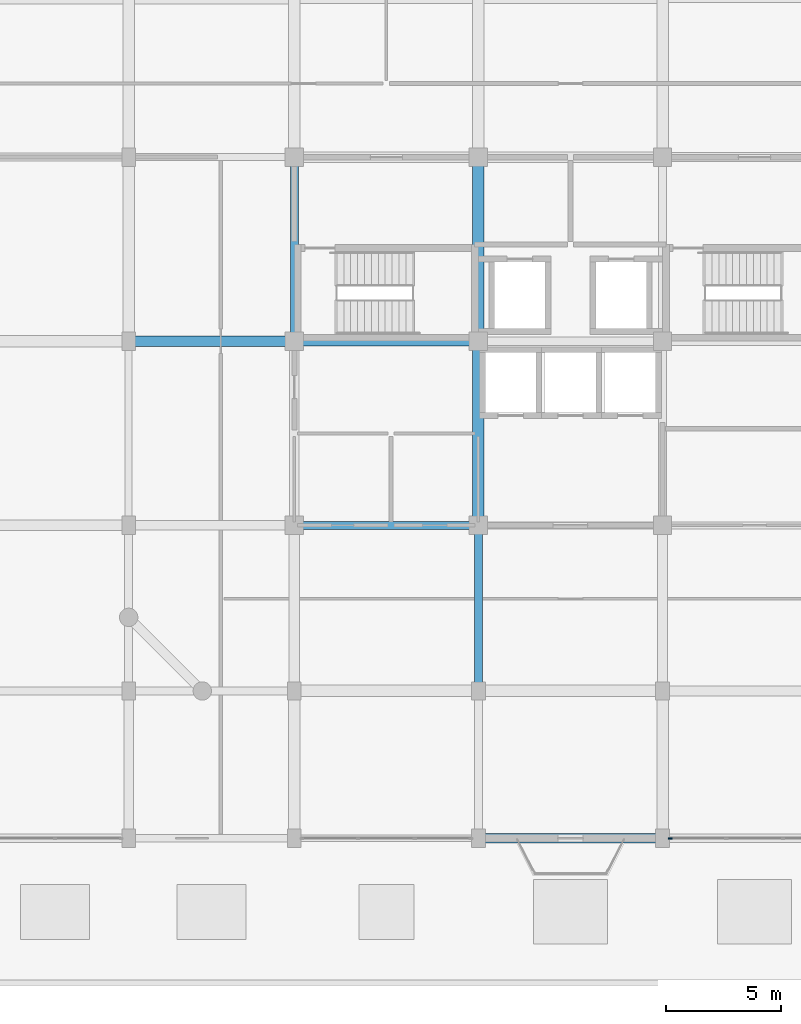
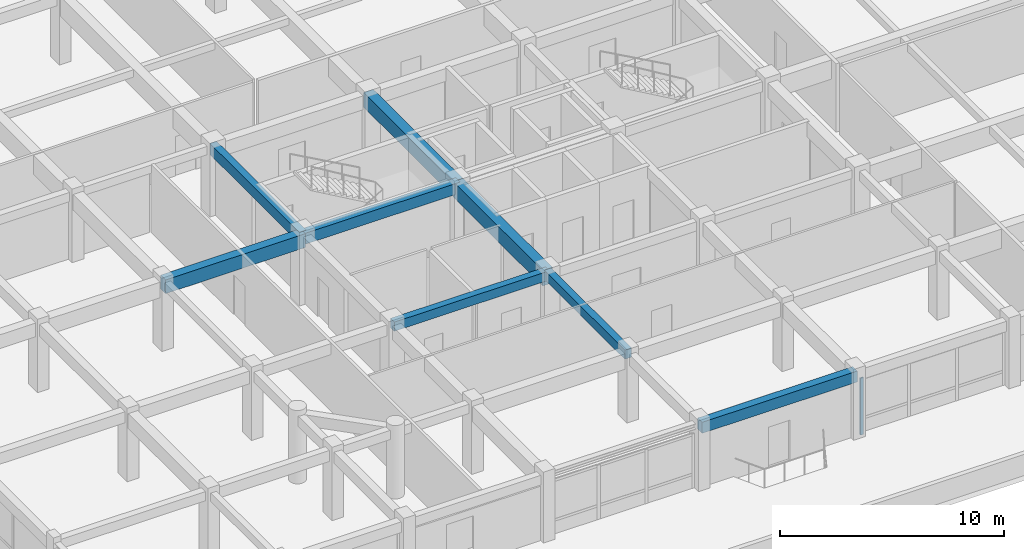
# One storey, part 4 of 20: 8 beams, 1 member, 1 element without a shape of its own.
"""IFC4 building model written with IfcOpenShell, lengths in metres."""

from ifc_helpers import new_model, si_unit, direction, frame, origin, origin_2d, place, context, subcontext, project, spatial, rectangle, extrude, material, material_profile, profile_set, type_object, element, aggregate, save


model = new_model("IFC4")

# Units and contexts
model_context = context("Model", 3, precision=1e-05, world=origin(), true_north=direction((0.0, 1.0)))
body_context = subcontext(model_context, "Body", "Model", "MODEL_VIEW")
ifc_project = project(units=[si_unit("LENGTHUNIT", "METRE"), si_unit("AREAUNIT", "SQUARE_METRE"), si_unit("VOLUMEUNIT", "CUBIC_METRE"), si_unit("PLANEANGLEUNIT", "RADIAN"), si_unit("MASSUNIT", "GRAM", prefix="KILO")], contexts=[model_context])

# Site, building, storey
site_placement = place(None, origin())
site = spatial("IfcSite", under=ifc_project, at=site_placement, CompositionType="ELEMENT")
building_placement = place(site_placement, origin())
building = spatial("IfcBuilding", under=site, at=building_placement, Name="Vellmiral Cinema and Media Centre", CompositionType="ELEMENT")
storey_placement = place(building_placement, frame((0.0, 0.0, 23.800048828125)))
storey = spatial("IfcBuildingStorey", under=building, at=storey_placement, Name="L05", CompositionType="ELEMENT", Elevation=23.800048828125)

# Beams
ifc_material_1 = material(Name="Concrete C40/50", Category="concrete")
ifc_material_profile_1 = material_profile(ifc_material_1, rectangle(XDim=0.35009765625, YDim=0.5, at=origin_2d()), Name="RC 350x500")
ifc_profile_set_1 = profile_set([ifc_material_profile_1], Name="Concrete C40/50")
beam_type_1 = type_object("IfcBeamType", Name="BM-RC-350x500", PredefinedType="BEAM", material=ifc_profile_set_1)
beam_1_placement = place(storey_placement, frame((124.0, 79.199951171875, 3.445068359375), z_axis=(1.0, 0.0, 0.0), x_axis=(0.0, 1.0, 0.0)))
element("IfcBeam", 1, at=beam_1_placement, inside=storey, type_object=beam_type_1, Name="Grid Beam L05-X020", PredefinedType="BEAM", context=body_context, shape_type="SweptSolid", body=[
    extrude(rectangle(XDim=0.35009765625, YDim=0.5, at=origin_2d()), origin(), (0.0, 0.0, 1.0), 8.0),
])
beam_2_placement = place(storey_placement, frame((132.0, 72.0, 3.445068359375), z_axis=(0.0, 1.0, 0.0), x_axis=(-1.0, 0.0, 0.0)))
element("IfcBeam", 2, at=beam_2_placement, inside=storey, type_object=beam_type_1, Name="Grid Beam L05-Y077", PredefinedType="BEAM", context=body_context, shape_type="SweptSolid", body=[
    extrude(rectangle(XDim=0.35009765625, YDim=0.5, at=origin_2d()), origin(), (0.0, 0.0, 1.0), 7.199951171875),
])
ifc_material_2 = material(Name="Concrete C40/50", Category="concrete")
ifc_material_profile_2 = material_profile(ifc_material_2, rectangle(XDim=0.35009765625, YDim=0.60009765625, at=origin_2d()), Name="RC 350x600")
ifc_profile_set_2 = profile_set([ifc_material_profile_2], Name="Concrete C40/50")
beam_type_2 = type_object("IfcBeamType", Name="BM-RC-350x600", PredefinedType="BEAM", material=ifc_profile_set_2)
beam_3_placement = place(storey_placement, frame((124.0, 87.199951171875, 3.39501953125), z_axis=(0.0, 1.0, 0.0), x_axis=(-1.0, 0.0, 0.0)))
element("IfcBeam", 3, at=beam_3_placement, inside=storey, type_object=beam_type_2, Name="Grid Beam L05-Y073", PredefinedType="BEAM", context=body_context, shape_type="SweptSolid", body=[
    extrude(rectangle(XDim=0.35009765625, YDim=0.60009765625, at=origin_2d()), origin(), (0.0, 0.0, 1.0), 8.0),
])
ifc_material_3 = material(Name="Concrete C40/50", Category="concrete")
ifc_material_profile_3 = material_profile(ifc_material_3, rectangle(XDim=0.39990234375, YDim=0.60009765625, at=origin_2d()), Name="RC 400x600")
ifc_profile_set_3 = profile_set([ifc_material_profile_3], Name="Concrete C40/50")
beam_type_3 = type_object("IfcBeamType", Name="BM-RC-400x600", PredefinedType="BEAM", material=ifc_profile_set_3)
beam_4_placement = place(storey_placement, frame((124.0, 87.199951171875, 3.39501953125), z_axis=(1.0, 0.0, 0.0), x_axis=(0.0, 1.0, 0.0)))
element("IfcBeam", 4, at=beam_4_placement, inside=storey, type_object=beam_type_3, Name="Grid Beam L05-X028", PredefinedType="BEAM", context=body_context, shape_type="SweptSolid", body=[
    extrude(rectangle(XDim=0.39990234375, YDim=0.60009765625, at=origin_2d()), origin(), (0.0, 0.0, 1.0), 8.0),
])
ifc_material_4 = material(Name="Concrete C40/50", Category="concrete")
ifc_material_profile_4 = material_profile(ifc_material_4, rectangle(XDim=0.449951171875, YDim=0.75, at=origin_2d()), Name="RC 450x750")
ifc_profile_set_4 = profile_set([ifc_material_profile_4], Name="Concrete C40/50")
beam_type_4 = type_object("IfcBeamType", Name="BM-RC-450x750", PredefinedType="BEAM", material=ifc_profile_set_4)
beam_5_placement = place(storey_placement, frame((116.800048828125, 87.199951171875, 3.320068359375), z_axis=(1.0, 0.0, 0.0), x_axis=(0.0, 1.0, 0.0)))
element("IfcBeam", 5, at=beam_5_placement, inside=storey, type_object=beam_type_4, Name="Grid Beam L05-X027", PredefinedType="BEAM", context=body_context, shape_type="SweptSolid", body=[
    extrude(rectangle(XDim=0.449951171875, YDim=0.75, at=origin_2d()), origin(), (0.0, 0.0, 1.0), 7.199951171875),
])
ifc_material_5 = material(Name="Concrete C40/50", Category="concrete")
ifc_material_profile_5 = material_profile(ifc_material_5, rectangle(XDim=0.5, YDim=0.800048828125, at=origin_2d()), Name="RC 500x800")
ifc_profile_set_5 = profile_set([ifc_material_profile_5], Name="Concrete C40/50")
beam_type_5 = type_object("IfcBeamType", Name="BM-RC-500x800", PredefinedType="BEAM", material=ifc_profile_set_5)
beam_6_placement = place(storey_placement, frame((132.0, 87.199951171875, 3.294921875), z_axis=(0.0, 1.0, 0.0), x_axis=(-1.0, 0.0, 0.0)))
element("IfcBeam", 6, at=beam_6_placement, inside=storey, type_object=beam_type_5, Name="Grid Beam L05-Y079", PredefinedType="BEAM", context=body_context, shape_type="SweptSolid", body=[
    extrude(rectangle(XDim=0.5, YDim=0.800048828125, at=origin_2d()), origin(), (0.0, 0.0, 1.0), 8.0),
])
ifc_material_6 = material(Name="Concrete C40/50", Category="concrete")
ifc_material_profile_6 = material_profile(ifc_material_6, rectangle(XDim=0.5, YDim=0.85009765625, at=origin_2d()), Name="RC 500x850")
ifc_profile_set_6 = profile_set([ifc_material_profile_6], Name="Concrete C40/50")
beam_type_6 = type_object("IfcBeamType", Name="BM-RC-500x850", PredefinedType="BEAM", material=ifc_profile_set_6)
beam_7_placement = place(storey_placement, frame((132.0, 79.199951171875, 3.27001953125), z_axis=(0.0, 1.0, 0.0), x_axis=(-1.0, 0.0, 0.0)))
element("IfcBeam", 7, at=beam_7_placement, inside=storey, type_object=beam_type_6, Name="Grid Beam L05-Y078", PredefinedType="BEAM", context=body_context, shape_type="SweptSolid", body=[
    extrude(rectangle(XDim=0.5, YDim=0.85009765625, at=origin_2d()), origin(), (0.0, 0.0, 1.0), 8.0),
])

# Curtain wall, member
ifc_material_7 = material(Name="Thermally Broken Aluminium and Triple Glazing", Category="aluminium")
curtain_wall_type = type_object("IfcCurtainWallType", Name="CW-TOWER-LOW-S", PredefinedType="USERDEFINED", material=ifc_material_7)
curtain_wall_placement = place(storey_placement, origin())
curtain_wall = element("IfcCurtainWall", 8, at=curtain_wall_placement, inside=storey, type_object=curtain_wall_type, Name="Curtain Wall L05-B006", ObjectType="UNITISED CURTAIN WALL", PredefinedType="USERDEFINED")
ifc_material_8 = material(Name="Thermally Broken Anodised Aluminium", Category="aluminium")
ifc_material_profile_7 = material_profile(ifc_material_8, rectangle(XDim=0.06494140625, YDim=0.159912109375, at=origin_2d()), Name="MULL 65x160")
ifc_profile_set_7 = profile_set([ifc_material_profile_7], Name="Thermally Broken Anodised Aluminium")
member_type = type_object("IfcMemberType", Name="CWM-65x160", PredefinedType="MULLION", material=ifc_profile_set_7)
member_placement = place(storey_placement, frame((140.33251953125, 65.60009765625, 0.0), z_axis=(0.0, 0.0, 1.0), x_axis=(0.0, 1.0, 0.0)))
member = element("IfcMember", 9, at=member_placement, type_object=member_type, Name="CW-06 mullion 1", PredefinedType="MULLION", context=body_context, shape_type="SweptSolid", body=[
    extrude(rectangle(XDim=0.06494140625, YDim=0.159912109375, at=origin_2d()), origin(), (0.0, 0.0, 1.0), 3.099853515625),
])
aggregate(curtain_wall, [member])

# Beam
ifc_material_9 = material(Name="Concrete C40/50", Category="concrete")
ifc_material_profile_8 = material_profile(ifc_material_9, rectangle(XDim=0.39990234375, YDim=0.60009765625, at=origin_2d()), Name="RC 400x600")
ifc_profile_set_8 = profile_set([ifc_material_profile_8], Name="Concrete C40/50")
beam_type_7 = type_object("IfcBeamType", Name="SPD-RC-400x600", PredefinedType="SPANDREL", material=ifc_profile_set_8)
beam_8_placement = place(storey_placement, frame((132.0, 65.60009765625, 3.39501953125), z_axis=(1.0, 0.0, 0.0), x_axis=(0.0, 1.0, 0.0)))
element("IfcBeam", 10, at=beam_8_placement, inside=storey, type_object=beam_type_7, Name="Grid Beam L05-X005", PredefinedType="SPANDREL", context=body_context, shape_type="SweptSolid", body=[
    extrude(rectangle(XDim=0.39990234375, YDim=0.60009765625, at=origin_2d()), origin(), (0.0, 0.0, 1.0), 8.0),
])

save(model, "model.ifc")
